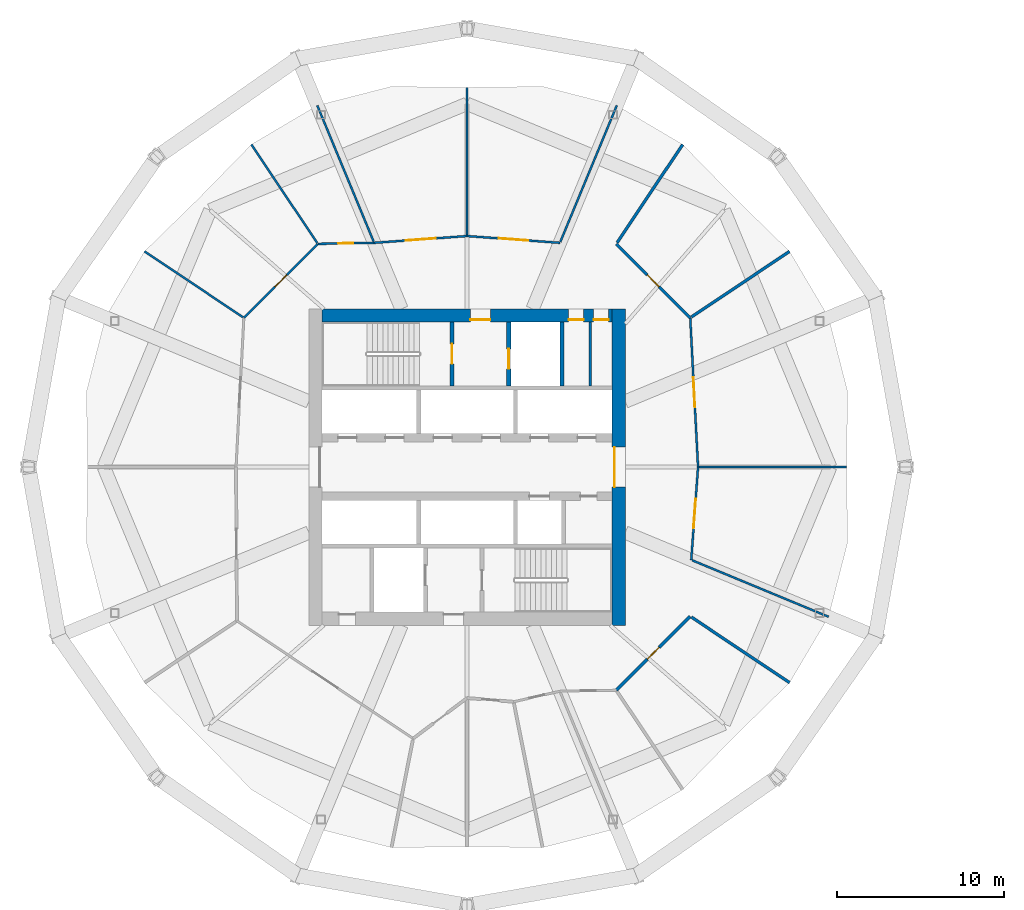
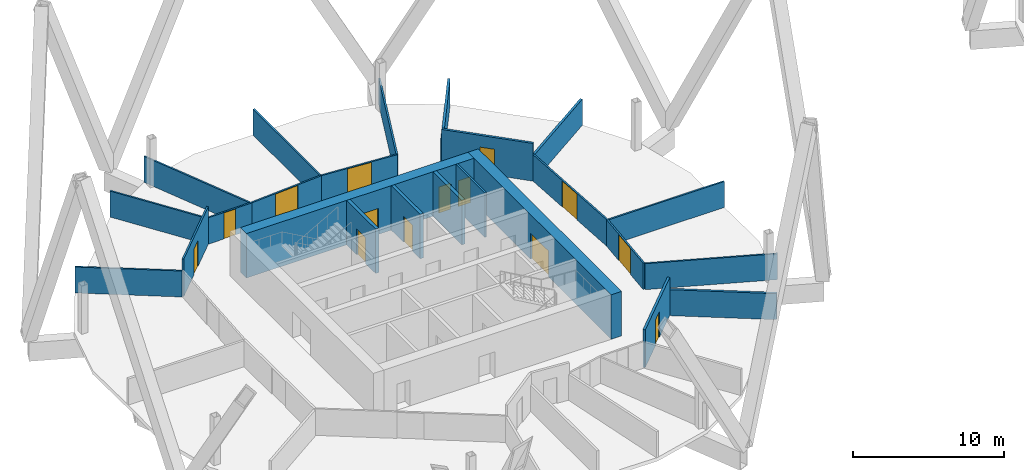
# One storey, part 5 of 9: 24 walls, 14 doors, 14 openings.
"""IFC4 building model written with IfcOpenShell, lengths in metres."""

from ifc_helpers import new_model, si_unit, direction, frame, frame_2d, origin, place, context, subcontext, project, spatial, rectangle, extrude, material, layer, layer_set, type_object, element, fill, save


model = new_model("IFC4")

# Units and contexts
model_context = context("Model", 3, precision=1e-05, world=origin(), true_north=direction((0.0, 1.0)))
body_context = subcontext(model_context, "Body", "Model", "MODEL_VIEW")
ifc_project = project(units=[si_unit("LENGTHUNIT", "METRE"), si_unit("AREAUNIT", "SQUARE_METRE"), si_unit("VOLUMEUNIT", "CUBIC_METRE"), si_unit("PLANEANGLEUNIT", "RADIAN"), si_unit("MASSUNIT", "GRAM", prefix="KILO")], contexts=[model_context])

# Site, building, storey
site_placement = place(None, origin())
site = spatial("IfcSite", under=ifc_project, at=site_placement, CompositionType="ELEMENT")
building_placement = place(site_placement, origin())
building = spatial("IfcBuilding", under=site, at=building_placement, Name="Ogive Gate Towers", CompositionType="ELEMENT")
storey_placement = place(building_placement, frame((0.0, 0.0, 51.89990234375)))
storey = spatial("IfcBuildingStorey", under=building, at=storey_placement, Name="L11", CompositionType="ELEMENT", Elevation=51.89990234375)

# Walls
ifc_material_1 = material(Name="Gypsum board acoustic partition")
ifc_layer_1 = layer(ifc_material_1, 0.175048828125)
ifc_layer_set_1 = layer_set([ifc_layer_1], Name="Acoustic partition 175")
wall_type_1 = type_object("IfcWallType", Name="Acoustic partition 175", PredefinedType="PARTITIONING", material=ifc_layer_set_1)
for number, where, z_axis, x_axis, name in (
    (1, (-16.63134765625, 12.950927734375, 0.0), (0.0, 0.0, 1.0), (-0.831292108501, -0.555835794407, 0.0), "Partition T1-L11-002"),
    (2, (-23.049072265625, 19.36865234375, 0.0), (0.0, 0.0, 1.0), (-0.555835794407, -0.831292108501, 0.0), "Partition T1-L11-003"),
    (3, (-16.63134765625, -12.950927734375, 0.0), (0.0, 0.0, 1.0), (-0.831292108501, 0.555835794407, 0.0), "Partition T1-L11-016"),
):
    element("IfcWall", number, at=place(storey_placement, frame(where, z_axis=z_axis, x_axis=x_axis)), inside=storey, type_object=wall_type_1, Name=name, PredefinedType="PARTITIONING", context=body_context, shape_type="SweptSolid", body=[
        extrude(rectangle(XDim=7.09130859375, YDim=0.175048828125, at=frame_2d((3.545654296875, 0.0))), origin(), (0.0, 0.0, 1.0), 2.10009765625),
    ])

# Wall, opening, door
wall_1_placement = place(storey_placement, frame((-27.039306640625, -13.40087890625, 0.0), z_axis=(0.0, 0.0, 1.0), x_axis=(0.707106781187, 0.707106781187, 0.0)))
wall_1 = element("IfcWall", 4, at=wall_1_placement, inside=storey, type_object=wall_type_1, Name="Partition T1-L11-029", PredefinedType="PARTITIONING", context=body_context, shape_type="SweptSolid", body=[
    extrude(rectangle(XDim=6.279296875, YDim=0.175048828125, at=frame_2d((3.1396484375, 0.0))), origin(), (0.0, 0.0, 1.0), 3.050048828125),
])
opening_1_placement = place(wall_1_placement, frame((2.639892578125, 0.0, 0.0)))
opening_1 = element("IfcOpeningElement", 5, at=opening_1_placement, cuts=wall_1, Name="Opening T1-L11-D12", PredefinedType="OPENING", context=body_context, shape_type="SweptSolid", body=[
    extrude(rectangle(XDim=1.0, YDim=2.10009765625, at=frame_2d((0.5, 1.050048828125))), frame((0.0, 0.09765625, 0.0), z_axis=(0.0, -1.0, 0.0), x_axis=(1.0, 0.0, 0.0)), (0.0, 0.0, 1.0), 0.195068359375),
])
ifc_material_2 = material(Name="Timber door", Category="wood")
door_type_1 = type_object("IfcDoorType", Name="Door 1000", OperationType="NOTDEFINED", PredefinedType="DOOR", material=ifc_material_2)
door_1_placement = place(opening_1_placement, origin())
door_1 = element("IfcDoor", 6, at=door_1_placement, inside=storey, type_object=door_type_1, Name="Door T1-L11-D12", OperationType="SINGLE_SWING_LEFT", OverallHeight=2.10009765625, OverallWidth=1.0, PredefinedType="DOOR", context=body_context, shape_type="SweptSolid", body=[
    extrude(rectangle(XDim=1.0, YDim=2.10009765625, at=frame_2d((0.5, 1.050048828125))), frame((0.0, 0.02490234375, 0.0), z_axis=(0.0, -1.0, 0.0), x_axis=(1.0, 0.0, 0.0)), (0.0, 0.0, 1.0), 0.050048828125),
])
fill(opening_1, door_1)

wall_2_placement = place(storey_placement, frame((-22.59912109375, 8.960693359375, 0.0), z_axis=(0.0, 0.0, 1.0), x_axis=(-0.707106781187, 0.707106781187, 0.0)))
wall_2 = element("IfcWall", 7, at=wall_2_placement, inside=storey, type_object=wall_type_1, Name="Partition T1-L11-032", PredefinedType="PARTITIONING", context=body_context, shape_type="SweptSolid", body=[
    extrude(rectangle(XDim=6.279296875, YDim=0.175048828125, at=frame_2d((3.1396484375, 0.0))), origin(), (0.0, 0.0, 1.0), 3.050048828125),
])
opening_2_placement = place(wall_2_placement, frame((2.639892578125, 0.0, 0.0)))
opening_2 = element("IfcOpeningElement", 8, at=opening_2_placement, cuts=wall_2, Name="Opening T1-L11-D15", PredefinedType="OPENING", context=body_context, shape_type="SweptSolid", body=[
    extrude(rectangle(XDim=1.0, YDim=2.10009765625, at=frame_2d((0.5, 1.050048828125))), frame((0.0, 0.09765625, 0.0), z_axis=(0.0, -1.0, 0.0), x_axis=(1.0, 0.0, 0.0)), (0.0, 0.0, 1.0), 0.195068359375),
])
door_2_placement = place(opening_2_placement, origin())
door_2 = element("IfcDoor", 9, at=door_2_placement, inside=storey, type_object=door_type_1, Name="Door T1-L11-D15", OperationType="SINGLE_SWING_LEFT", OverallHeight=2.10009765625, OverallWidth=1.0, PredefinedType="DOOR", context=body_context, shape_type="SweptSolid", body=[
    extrude(rectangle(XDim=1.0, YDim=2.10009765625, at=frame_2d((0.5, 1.050048828125))), frame((0.0, 0.02490234375, 0.0), z_axis=(0.0, -1.0, 0.0), x_axis=(1.0, 0.0, 0.0)), (0.0, 0.0, 1.0), 0.050048828125),
])
fill(opening_2, door_2)

# Wall, openings, doors
ifc_material_3 = material(Name="Concrete C60/75", Category="concrete")
ifc_layer_2 = layer(ifc_material_3, 0.800048828125)
ifc_layer_set_2 = layer_set([ifc_layer_2], Name="Core wall 800 mm")
wall_type_2 = type_object("IfcWallType", Name="Core wall 800 mm", PredefinedType="SHEAR", material=ifc_layer_set_2)
wall_3_placement = place(storey_placement, frame((-44.699951171875, 9.10009765625, 0.0), z_axis=(0.0, 0.0, 1.0), x_axis=(1.0, 0.0, 0.0)))
wall_3 = element("IfcWall", 10, at=wall_3_placement, inside=storey, type_object=wall_type_2, Name="T1 L11 Core wall 800 mm", PredefinedType="SHEAR", context=body_context, shape_type="SweptSolid", body=[
    extrude(rectangle(XDim=17.39990234375, YDim=0.800048828125, at=frame_2d((8.699951171875, 0.0))), origin(), (0.0, 0.0, 1.0), 3.60009765625),
])
opening_3_placement = place(wall_3_placement, frame((8.89990234375, 0.0, 0.0)))
opening_3 = element("IfcOpeningElement", 11, at=opening_3_placement, cuts=wall_3, Name="Opening KD-T1-L11-15", PredefinedType="OPENING", context=body_context, shape_type="SweptSolid", body=[
    extrude(rectangle(XDim=1.199951171875, YDim=2.10009765625, at=frame_2d((0.60009765625, 1.050048828125))), frame((0.0, 0.41015625, 0.0), z_axis=(0.0, -1.0, 0.0), x_axis=(1.0, 0.0, 0.0)), (0.0, 0.0, 1.0), 0.820068359375),
])
opening_4_placement = place(wall_3_placement, frame((14.800048828125, 0.0, 0.0)))
opening_4 = element("IfcOpeningElement", 12, at=opening_4_placement, cuts=wall_3, Name="Opening KD-T1-L11-17", PredefinedType="OPENING", context=body_context, shape_type="SweptSolid", body=[
    extrude(rectangle(XDim=0.89990234375, YDim=2.10009765625, at=frame_2d((0.449951171875, 1.050048828125))), frame((0.0, 0.41015625, 0.0), z_axis=(0.0, -1.0, 0.0), x_axis=(1.0, 0.0, 0.0)), (0.0, 0.0, 1.0), 0.820068359375),
])
opening_5_placement = place(wall_3_placement, frame((16.300048828125, 0.0, 0.0)))
opening_5 = element("IfcOpeningElement", 13, at=opening_5_placement, cuts=wall_3, Name="Opening KD-T1-L11-18", PredefinedType="OPENING", context=body_context, shape_type="SweptSolid", body=[
    extrude(rectangle(XDim=0.89990234375, YDim=2.10009765625, at=frame_2d((0.449951171875, 1.050048828125))), frame((0.0, 0.41015625, 0.0), z_axis=(0.0, -1.0, 0.0), x_axis=(1.0, 0.0, 0.0)), (0.0, 0.0, 1.0), 0.820068359375),
])
door_type_2 = type_object("IfcDoorType", Name="Core WC door 900 x 2100", OperationType="NOTDEFINED", PredefinedType="DOOR", material=ifc_material_2)
door_3_placement = place(opening_4_placement, origin())
door_3 = element("IfcDoor", 14, at=door_3_placement, inside=storey, type_object=door_type_2, Name="T1 L11 Core door", OperationType="SINGLE_SWING_RIGHT", OverallHeight=2.10009765625, OverallWidth=0.89990234375, PredefinedType="DOOR", context=body_context, shape_type="SweptSolid", body=[
    extrude(rectangle(XDim=0.89990234375, YDim=2.10009765625, at=frame_2d((0.449951171875, 1.050048828125))), frame((0.0, -0.22509765625, 0.0), z_axis=(0.0, -1.0, 0.0), x_axis=(1.0, 0.0, 0.0)), (0.0, 0.0, 1.0), 0.050048828125),
])
fill(opening_4, door_3)
door_4_placement = place(opening_5_placement, origin())
door_4 = element("IfcDoor", 15, at=door_4_placement, inside=storey, type_object=door_type_2, Name="T1 L11 Core door", OperationType="SINGLE_SWING_LEFT", OverallHeight=2.10009765625, OverallWidth=0.89990234375, PredefinedType="DOOR", context=body_context, shape_type="SweptSolid", body=[
    extrude(rectangle(XDim=0.89990234375, YDim=2.10009765625, at=frame_2d((0.449951171875, 1.050048828125))), frame((0.0, -0.22509765625, 0.0), z_axis=(0.0, -1.0, 0.0), x_axis=(1.0, 0.0, 0.0)), (0.0, 0.0, 1.0), 0.050048828125),
])
fill(opening_5, door_4)
ifc_material_4 = material(Name="Steel fire door", Category="steel")
door_type_3 = type_object("IfcDoorType", Name="Core door FD60S 1200 x 2100", OperationType="NOTDEFINED", PredefinedType="DOOR", material=ifc_material_4)
door_5_placement = place(opening_3_placement, origin())
door_5 = element("IfcDoor", 16, at=door_5_placement, inside=storey, type_object=door_type_3, Name="T1 L11 Fire-fighting lobby door", OperationType="SINGLE_SWING_RIGHT", OverallHeight=2.10009765625, OverallWidth=1.199951171875, PredefinedType="DOOR", context=body_context, shape_type="SweptSolid", body=[
    extrude(rectangle(XDim=1.199951171875, YDim=2.10009765625, at=frame_2d((0.60009765625, 1.050048828125))), frame((0.0, -0.22509765625, 0.0), z_axis=(0.0, -1.0, 0.0), x_axis=(1.0, 0.0, 0.0)), (0.0, 0.0, 1.0), 0.050048828125),
])
fill(opening_3, door_5)

# Wall, opening, door
wall_4_placement = place(storey_placement, frame((-26.89990234375, -9.5, 0.0), z_axis=(0.0, 0.0, 1.0), x_axis=(0.0, 1.0, 0.0)))
wall_4 = element("IfcWall", 17, at=wall_4_placement, inside=storey, type_object=wall_type_2, Name="T1 L11 Core wall 800 mm", PredefinedType="SHEAR", context=body_context, shape_type="SweptSolid", body=[
    extrude(rectangle(XDim=19.0, YDim=0.800048828125, at=frame_2d((9.5, 0.0))), origin(), (0.0, 0.0, 1.0), 3.60009765625),
])
opening_6_placement = place(wall_4_placement, frame((8.300048828125, 0.0, 0.0)))
opening_6 = element("IfcOpeningElement", 18, at=opening_6_placement, cuts=wall_4, Name="Opening KD-T1-L11-02", PredefinedType="OPENING", context=body_context, shape_type="SweptSolid", body=[
    extrude(rectangle(XDim=2.39990234375, YDim=2.10009765625, at=frame_2d((1.199951171875, 1.050048828125))), frame((0.0, 0.41015625, 0.0), z_axis=(0.0, -1.0, 0.0), x_axis=(1.0, 0.0, 0.0)), (0.0, 0.0, 1.0), 0.820068359375),
])
door_type_4 = type_object("IfcDoorType", Name="Core double door FD60S 2400 x 2100", OperationType="DOUBLE_DOOR_SINGLE_SWING", PredefinedType="DOOR", material=ifc_material_4)
door_6_placement = place(opening_6_placement, origin())
door_6 = element("IfcDoor", 19, at=door_6_placement, inside=storey, type_object=door_type_4, Name="T1 L11 Core door double", OperationType="DOUBLE_DOOR_SINGLE_SWING", OverallHeight=2.10009765625, OverallWidth=2.39990234375, PredefinedType="DOOR", context=body_context, shape_type="SweptSolid", body=[
    extrude(rectangle(XDim=2.39990234375, YDim=2.10009765625, at=frame_2d((1.199951171875, 1.050048828125))), frame((0.0, 0.27490234375, 0.0), z_axis=(0.0, -1.0, 0.0), x_axis=(1.0, 0.0, 0.0)), (0.0, 0.0, 1.0), 0.050048828125),
])
fill(opening_6, door_6)

# Walls
ifc_material_5 = material(Name="Gypsum board partition")
ifc_layer_3 = layer(ifc_material_5, 0.125)
ifc_layer_set_3 = layer_set([ifc_layer_3], Name="Partition 125")
wall_type_3 = type_object("IfcWallType", Name="Partition 125", PredefinedType="PARTITIONING", material=ifc_layer_set_3)
for number, where, z_axis, x_axis, name in (
    (20, (-13.200927734375, 0.0, 0.0), (0.0, 0.0, 1.0), (-1.0, 0.0, 0.0), "Partition T1-L11-001"),
    (21, (-27.007080078125, 21.711181640625, 0.0), (0.0, 0.0, 1.0), (-0.382657399133, -0.923890315399, 0.0), "Partition T1-L11-004"),
    (22, (-36.0, 22.799072265625, 0.0), (0.0, 0.0, 1.0), (0.0, -1.0, 0.0), "Partition T1-L11-005"),
    (23, (-44.992919921875, 21.711181640625, 0.0), (0.0, 0.0, 1.0), (0.382657399133, -0.923890315399, 0.0), "Partition T1-L11-006"),
):
    element("IfcWall", number, at=place(storey_placement, frame(where, z_axis=z_axis, x_axis=x_axis)), inside=storey, type_object=wall_type_3, Name=name, PredefinedType="PARTITIONING", context=body_context, shape_type="SweptSolid", body=[
        extrude(rectangle(XDim=8.866455078125, YDim=0.125, at=frame_2d((4.43310546875, 0.0))), origin(), (0.0, 0.0, 1.0), 2.10009765625),
    ])
for number, where, z_axis, x_axis, name in (
    (24, (-48.950927734375, 19.36865234375, 0.0), (0.0, 0.0, 1.0), (0.555839718836, -0.831289484454, 0.0), "Partition T1-L11-007"),
    (25, (-55.36865234375, 12.950927734375, 0.0), (0.0, 0.0, 1.0), (0.831289484454, -0.555839718836, 0.0), "Partition T1-L11-008"),
):
    element("IfcWall", number, at=place(storey_placement, frame(where, z_axis=z_axis, x_axis=x_axis)), inside=storey, type_object=wall_type_3, Name=name, PredefinedType="PARTITIONING", context=body_context, shape_type="SweptSolid", body=[
        extrude(rectangle(XDim=7.116455078125, YDim=0.125, at=frame_2d((3.55810546875, 0.0))), origin(), (0.0, 0.0, 1.0), 2.10009765625),
    ])
wall_5_placement = place(storey_placement, frame((-14.288818359375, -8.992919921875, 0.0), z_axis=(0.0, 0.0, 1.0), x_axis=(-0.923890315399, 0.382657399133, 0.0)))
element("IfcWall", 26, at=wall_5_placement, inside=storey, type_object=wall_type_3, Name="Partition T1-L11-017", PredefinedType="PARTITIONING", context=body_context, shape_type="SweptSolid", body=[
    extrude(rectangle(XDim=8.866455078125, YDim=0.125, at=frame_2d((4.43310546875, 0.0))), origin(), (0.0, 0.0, 1.0), 2.10009765625),
])

# Wall, opening, door
wall_6_placement = place(storey_placement, frame((-30.423828125, 13.4619140625, 0.0), z_axis=(0.0, 0.0, 1.0), x_axis=(-0.99733124258, 0.073009537548, 0.0)))
wall_6 = element("IfcWall", 27, at=wall_6_placement, inside=storey, type_object=wall_type_3, Name="Partition T1-L11-018", PredefinedType="PARTITIONING", context=body_context, shape_type="SweptSolid", body=[
    extrude(rectangle(XDim=5.591064453125, YDim=0.125, at=frame_2d((2.79541015625, 0.0))), origin(), (0.0, 0.0, 1.0), 2.14013671875),
])
opening_7_placement = place(wall_6_placement, frame((1.89501953125, 0.0, 0.0)))
opening_7 = element("IfcOpeningElement", 28, at=opening_7_placement, cuts=wall_6, Name="Opening T1-L11-D01", PredefinedType="OPENING", context=body_context, shape_type="SweptSolid", body=[
    extrude(rectangle(XDim=1.800048828125, YDim=2.10009765625, at=frame_2d((0.89990234375, 1.050048828125))), frame((0.0, 0.072509765625, 0.0), z_axis=(0.0, -1.0, 0.0), x_axis=(1.0, 0.0, 0.0)), (0.0, 0.0, 1.0), 0.14501953125),
])
door_type_5 = type_object("IfcDoorType", Name="Door pair 1800", OperationType="NOTDEFINED", PredefinedType="DOOR", material=ifc_material_2)
door_7_placement = place(opening_7_placement, origin())
door_7 = element("IfcDoor", 29, at=door_7_placement, inside=storey, type_object=door_type_5, Name="Door T1-L11-D01", OperationType="DOUBLE_DOOR_DOUBLE_SWING", OverallHeight=2.10009765625, OverallWidth=1.800048828125, PredefinedType="DOOR", context=body_context, shape_type="SweptSolid", body=[
    extrude(rectangle(XDim=1.800048828125, YDim=2.10009765625, at=frame_2d((0.89990234375, 1.050048828125))), frame((0.0, 0.02490234375, 0.0), z_axis=(0.0, -1.0, 0.0), x_axis=(1.0, 0.0, 0.0)), (0.0, 0.0, 1.0), 0.050048828125),
])
fill(opening_7, door_7)

wall_7_placement = place(storey_placement, frame((-36.0, 13.8701171875, 0.0), z_axis=(0.0, 0.0, 1.0), x_axis=(-0.99733124258, -0.073009537548, 0.0)))
wall_7 = element("IfcWall", 30, at=wall_7_placement, inside=storey, type_object=wall_type_3, Name="Partition T1-L11-019", PredefinedType="PARTITIONING", context=body_context, shape_type="SweptSolid", body=[
    extrude(rectangle(XDim=5.591064453125, YDim=0.125, at=frame_2d((2.79541015625, 0.0))), origin(), (0.0, 0.0, 1.0), 2.14013671875),
])
opening_8_placement = place(wall_7_placement, frame((1.89501953125, 0.0, 0.0)))
opening_8 = element("IfcOpeningElement", 31, at=opening_8_placement, cuts=wall_7, Name="Opening T1-L11-D02", PredefinedType="OPENING", context=body_context, shape_type="SweptSolid", body=[
    extrude(rectangle(XDim=1.800048828125, YDim=2.10009765625, at=frame_2d((0.89990234375, 1.050048828125))), frame((0.0, 0.072509765625, 0.0), z_axis=(0.0, -1.0, 0.0), x_axis=(1.0, 0.0, 0.0)), (0.0, 0.0, 1.0), 0.14501953125),
])
door_8_placement = place(opening_8_placement, origin())
door_8 = element("IfcDoor", 32, at=door_8_placement, inside=storey, type_object=door_type_5, Name="Door T1-L11-D02", OperationType="DOUBLE_DOOR_DOUBLE_SWING", OverallHeight=2.10009765625, OverallWidth=1.800048828125, PredefinedType="DOOR", context=body_context, shape_type="SweptSolid", body=[
    extrude(rectangle(XDim=1.800048828125, YDim=2.10009765625, at=frame_2d((0.89990234375, 1.050048828125))), frame((0.0, 0.02490234375, 0.0), z_axis=(0.0, -1.0, 0.0), x_axis=(1.0, 0.0, 0.0)), (0.0, 0.0, 1.0), 0.050048828125),
])
fill(opening_8, door_8)

wall_8_placement = place(storey_placement, frame((-41.576171875, 13.4619140625, 0.0), z_axis=(0.0, 0.0, 1.0), x_axis=(-0.999837434021, -0.018030683006, 0.0)))
wall_8 = element("IfcWall", 33, at=wall_8_placement, inside=storey, type_object=wall_type_3, Name="Partition T1-L11-020", PredefinedType="PARTITIONING", context=body_context, shape_type="SweptSolid", body=[
    extrude(rectangle(XDim=3.385009765625, YDim=0.125, at=frame_2d((1.6923828125, 0.0))), origin(), (0.0, 0.0, 1.0), 2.14013671875),
])
opening_9_placement = place(wall_8_placement, frame((1.242919921875, 0.0, 0.0)))
opening_9 = element("IfcOpeningElement", 34, at=opening_9_placement, cuts=wall_8, Name="Opening T1-L11-D03", PredefinedType="OPENING", context=body_context, shape_type="SweptSolid", body=[
    extrude(rectangle(XDim=0.89990234375, YDim=2.10009765625, at=frame_2d((0.449951171875, 1.050048828125))), frame((0.0, 0.072509765625, 0.0), z_axis=(0.0, -1.0, 0.0), x_axis=(1.0, 0.0, 0.0)), (0.0, 0.0, 1.0), 0.14501953125),
])
door_type_6 = type_object("IfcDoorType", Name="Door 900", OperationType="NOTDEFINED", PredefinedType="DOOR", material=ifc_material_2)
door_9_placement = place(opening_9_placement, origin())
door_9 = element("IfcDoor", 35, at=door_9_placement, inside=storey, type_object=door_type_6, Name="Door T1-L11-D03", OperationType="SINGLE_SWING_RIGHT", OverallHeight=2.10009765625, OverallWidth=0.89990234375, PredefinedType="DOOR", context=body_context, shape_type="SweptSolid", body=[
    extrude(rectangle(XDim=0.89990234375, YDim=2.10009765625, at=frame_2d((0.449951171875, 1.050048828125))), frame((0.0, 0.02490234375, 0.0), z_axis=(0.0, -1.0, 0.0), x_axis=(1.0, 0.0, 0.0)), (0.0, 0.0, 1.0), 0.050048828125),
])
fill(opening_9, door_9)

wall_9_placement = place(storey_placement, frame((-44.960693359375, 13.40087890625, 0.0), z_axis=(0.0, 0.0, 1.0), x_axis=(-0.707106781187, -0.707106781187, 0.0)))
wall_9 = element("IfcWall", 36, at=wall_9_placement, inside=storey, type_object=wall_type_3, Name="Partition T1-L11-021", PredefinedType="PARTITIONING", context=body_context, shape_type="SweptSolid", body=[
    extrude(rectangle(XDim=6.279296875, YDim=0.125, at=frame_2d((3.1396484375, 0.0))), origin(), (0.0, 0.0, 1.0), 3.050048828125),
])
opening_10_placement = place(wall_9_placement, frame((2.639892578125, 0.0, 0.0)))
opening_10 = element("IfcOpeningElement", 37, at=opening_10_placement, cuts=wall_9, Name="Opening T1-L11-D04", PredefinedType="OPENING", context=body_context, shape_type="SweptSolid", body=[
    extrude(rectangle(XDim=1.0, YDim=2.10009765625, at=frame_2d((0.5, 1.050048828125))), frame((0.0, 0.072509765625, 0.0), z_axis=(0.0, -1.0, 0.0), x_axis=(1.0, 0.0, 0.0)), (0.0, 0.0, 1.0), 0.14501953125),
])
door_10_placement = place(opening_10_placement, origin())
door_10 = element("IfcDoor", 38, at=door_10_placement, inside=storey, type_object=door_type_1, Name="Door T1-L11-D04", OperationType="SINGLE_SWING_LEFT", OverallHeight=2.10009765625, OverallWidth=1.0, PredefinedType="DOOR", context=body_context, shape_type="SweptSolid", body=[
    extrude(rectangle(XDim=1.0, YDim=2.10009765625, at=frame_2d((0.5, 1.050048828125))), frame((0.0, 0.02490234375, 0.0), z_axis=(0.0, -1.0, 0.0), x_axis=(1.0, 0.0, 0.0)), (0.0, 0.0, 1.0), 0.050048828125),
])
fill(opening_10, door_10)

wall_10_placement = place(storey_placement, frame((-22.5380859375, -5.576171875, 0.0), z_axis=(0.0, 0.0, 1.0), x_axis=(0.073009537548, 0.99733124258, 0.0)))
wall_10 = element("IfcWall", 39, at=wall_10_placement, inside=storey, type_object=wall_type_3, Name="Partition T1-L11-030", PredefinedType="PARTITIONING", context=body_context, shape_type="SweptSolid", body=[
    extrude(rectangle(XDim=5.591064453125, YDim=0.125, at=frame_2d((2.79541015625, 0.0))), origin(), (0.0, 0.0, 1.0), 2.14013671875),
])
opening_11_placement = place(wall_10_placement, frame((1.89501953125, 0.0, 0.0)))
opening_11 = element("IfcOpeningElement", 40, at=opening_11_placement, cuts=wall_10, Name="Opening T1-L11-D13", PredefinedType="OPENING", context=body_context, shape_type="SweptSolid", body=[
    extrude(rectangle(XDim=1.800048828125, YDim=2.10009765625, at=frame_2d((0.89990234375, 1.050048828125))), frame((0.0, 0.072509765625, 0.0), z_axis=(0.0, -1.0, 0.0), x_axis=(1.0, 0.0, 0.0)), (0.0, 0.0, 1.0), 0.14501953125),
])
door_11_placement = place(opening_11_placement, origin())
door_11 = element("IfcDoor", 41, at=door_11_placement, inside=storey, type_object=door_type_5, Name="Door T1-L11-D13", OperationType="DOUBLE_DOOR_DOUBLE_SWING", OverallHeight=2.10009765625, OverallWidth=1.800048828125, PredefinedType="DOOR", context=body_context, shape_type="SweptSolid", body=[
    extrude(rectangle(XDim=1.800048828125, YDim=2.10009765625, at=frame_2d((0.89990234375, 1.050048828125))), frame((0.0, 0.02490234375, 0.0), z_axis=(0.0, -1.0, 0.0), x_axis=(1.0, 0.0, 0.0)), (0.0, 0.0, 1.0), 0.050048828125),
])
fill(opening_11, door_11)

wall_11_placement = place(storey_placement, frame((-22.1298828125, 0.0, 0.0), z_axis=(0.0, 0.0, 1.0), x_axis=(-0.052294638748, 0.998631699256, 0.0)))
wall_11 = element("IfcWall", 42, at=wall_11_placement, inside=storey, type_object=wall_type_3, Name="Partition T1-L11-031", PredefinedType="PARTITIONING", context=body_context, shape_type="SweptSolid", body=[
    extrude(rectangle(XDim=8.972900390625, YDim=0.125, at=frame_2d((4.486328125, 0.0))), origin(), (0.0, 0.0, 1.0), 2.14013671875),
])
opening_12_placement = place(wall_11_placement, frame((3.5859375, 0.0, 0.0)))
opening_12 = element("IfcOpeningElement", 43, at=opening_12_placement, cuts=wall_11, Name="Opening T1-L11-D14", PredefinedType="OPENING", context=body_context, shape_type="SweptSolid", body=[
    extrude(rectangle(XDim=1.800048828125, YDim=2.10009765625, at=frame_2d((0.89990234375, 1.050048828125))), frame((0.0, 0.072509765625, 0.0), z_axis=(0.0, -1.0, 0.0), x_axis=(1.0, 0.0, 0.0)), (0.0, 0.0, 1.0), 0.14501953125),
])
door_12_placement = place(opening_12_placement, origin())
door_12 = element("IfcDoor", 44, at=door_12_placement, inside=storey, type_object=door_type_5, Name="Door T1-L11-D14", OperationType="DOUBLE_DOOR_DOUBLE_SWING", OverallHeight=2.10009765625, OverallWidth=1.800048828125, PredefinedType="DOOR", context=body_context, shape_type="SweptSolid", body=[
    extrude(rectangle(XDim=1.800048828125, YDim=2.10009765625, at=frame_2d((0.89990234375, 1.050048828125))), frame((0.0, 0.02490234375, 0.0), z_axis=(0.0, -1.0, 0.0), x_axis=(1.0, 0.0, 0.0)), (0.0, 0.0, 1.0), 0.050048828125),
])
fill(opening_12, door_12)

# Wall
ifc_layer_4 = layer(ifc_material_5, 0.14990234375)
ifc_layer_set_4 = layer_set([ifc_layer_4], Name="Room partition 150 mm")
wall_type_4 = type_object("IfcWallType", Name="Room partition 150 mm", PredefinedType="PARTITIONING", material=ifc_layer_set_4)
wall_12_placement = place(storey_placement, frame((-28.60009765625, 4.875, 0.0), z_axis=(0.0, 0.0, 1.0), x_axis=(0.0, 1.0, 0.0)))
element("IfcWall", 45, at=wall_12_placement, inside=storey, type_object=wall_type_4, Name="T1 L11 Room partition 150 mm", PredefinedType="PARTITIONING", context=body_context, shape_type="SweptSolid", body=[
    extrude(rectangle(XDim=3.824951171875, YDim=0.14990234375, at=frame_2d((1.91259765625, 0.0))), origin(), (0.0, 0.0, 1.0), 3.60009765625),
])

# Wall, opening, door
ifc_layer_5 = layer(ifc_material_3, 0.25)
ifc_layer_set_5 = layer_set([ifc_layer_5], Name="Shaft wall 250 mm")
wall_type_5 = type_object("IfcWallType", Name="Shaft wall 250 mm", PredefinedType="SHEAR", material=ifc_layer_set_5)
wall_13_placement = place(storey_placement, frame((-36.89990234375, 4.875, 0.0), z_axis=(0.0, 0.0, 1.0), x_axis=(0.0, 1.0, 0.0)))
wall_13 = element("IfcWall", 46, at=wall_13_placement, inside=storey, type_object=wall_type_5, Name="T1 L11 Shaft wall 250 mm", PredefinedType="SHEAR", context=body_context, shape_type="SweptSolid", body=[
    extrude(rectangle(XDim=3.824951171875, YDim=0.25, at=frame_2d((1.91259765625, 0.0))), origin(), (0.0, 0.0, 1.0), 3.60009765625),
])
opening_13_placement = place(wall_13_placement, frame((1.324951171875, 0.0, 0.0)))
opening_13 = element("IfcOpeningElement", 47, at=opening_13_placement, cuts=wall_13, Name="Opening KD-T1-L11-13", PredefinedType="OPENING", context=body_context, shape_type="SweptSolid", body=[
    extrude(rectangle(XDim=1.199951171875, YDim=2.10009765625, at=frame_2d((0.60009765625, 1.050048828125))), frame((0.0, 0.135009765625, 0.0), z_axis=(0.0, -1.0, 0.0), x_axis=(1.0, 0.0, 0.0)), (0.0, 0.0, 1.0), 0.27001953125),
])
door_13_placement = place(opening_13_placement, origin())
door_13 = element("IfcDoor", 48, at=door_13_placement, inside=storey, type_object=door_type_3, Name="T1 L11 Stair door", OperationType="SINGLE_SWING_RIGHT", OverallHeight=2.10009765625, OverallWidth=1.199951171875, PredefinedType="DOOR", context=body_context, shape_type="SweptSolid", body=[
    extrude(rectangle(XDim=1.199951171875, YDim=2.10009765625, at=frame_2d((0.60009765625, 1.050048828125))), frame((0.0, 0.02490234375, 0.0), z_axis=(0.0, -1.0, 0.0), x_axis=(1.0, 0.0, 0.0)), (0.0, 0.0, 1.0), 0.050048828125),
])
fill(opening_13, door_13)

wall_14_placement = place(storey_placement, frame((-33.5, 4.875, 0.0), z_axis=(0.0, 0.0, 1.0), x_axis=(0.0, 1.0, 0.0)))
wall_14 = element("IfcWall", 49, at=wall_14_placement, inside=storey, type_object=wall_type_5, Name="T1 L11 Shaft wall 250 mm", PredefinedType="SHEAR", context=body_context, shape_type="SweptSolid", body=[
    extrude(rectangle(XDim=3.824951171875, YDim=0.25, at=frame_2d((1.91259765625, 0.0))), origin(), (0.0, 0.0, 1.0), 3.60009765625),
])
opening_14_placement = place(wall_14_placement, frame((1.02490234375, 0.0, 0.0)))
opening_14 = element("IfcOpeningElement", 50, at=opening_14_placement, cuts=wall_14, Name="Opening LD-T1-L11-10", PredefinedType="OPENING", context=body_context, shape_type="SweptSolid", body=[
    extrude(rectangle(XDim=1.199951171875, YDim=2.10009765625, at=frame_2d((0.60009765625, 1.050048828125))), frame((0.0, 0.135009765625, 0.0), z_axis=(0.0, -1.0, 0.0), x_axis=(1.0, 0.0, 0.0)), (0.0, 0.0, 1.0), 0.27001953125),
])
ifc_material_6 = material(Name="Stainless steel landing door", Category="steel")
door_type_7 = type_object("IfcDoorType", Name="Landing door 1200 x 2100", OperationType="SLIDING_TO_LEFT", PredefinedType="DOOR", material=ifc_material_6)
door_14_placement = place(opening_14_placement, origin())
door_14 = element("IfcDoor", 51, at=door_14_placement, inside=storey, type_object=door_type_7, Name="T1 L11 Lift landing door FF1", OperationType="SLIDING_TO_LEFT", OverallHeight=2.10009765625, OverallWidth=1.199951171875, PredefinedType="DOOR", context=body_context, shape_type="SweptSolid", body=[
    extrude(rectangle(XDim=1.199951171875, YDim=2.10009765625, at=frame_2d((0.60009765625, 1.050048828125))), frame((0.0, 0.02490234375, 0.0), z_axis=(0.0, -1.0, 0.0), x_axis=(1.0, 0.0, 0.0)), (0.0, 0.0, 1.0), 0.050048828125),
])
fill(opening_14, door_14)

# Wall
wall_15_placement = place(storey_placement, frame((-30.300048828125, 4.875, 0.0), z_axis=(0.0, 0.0, 1.0), x_axis=(0.0, 1.0, 0.0)))
element("IfcWall", 52, at=wall_15_placement, inside=storey, type_object=wall_type_5, Name="T1 L11 Shaft wall 250 mm", PredefinedType="SHEAR", context=body_context, shape_type="SweptSolid", body=[
    extrude(rectangle(XDim=3.824951171875, YDim=0.25, at=frame_2d((1.91259765625, 0.0))), origin(), (0.0, 0.0, 1.0), 3.60009765625),
])

save(model, "model.ifc")
